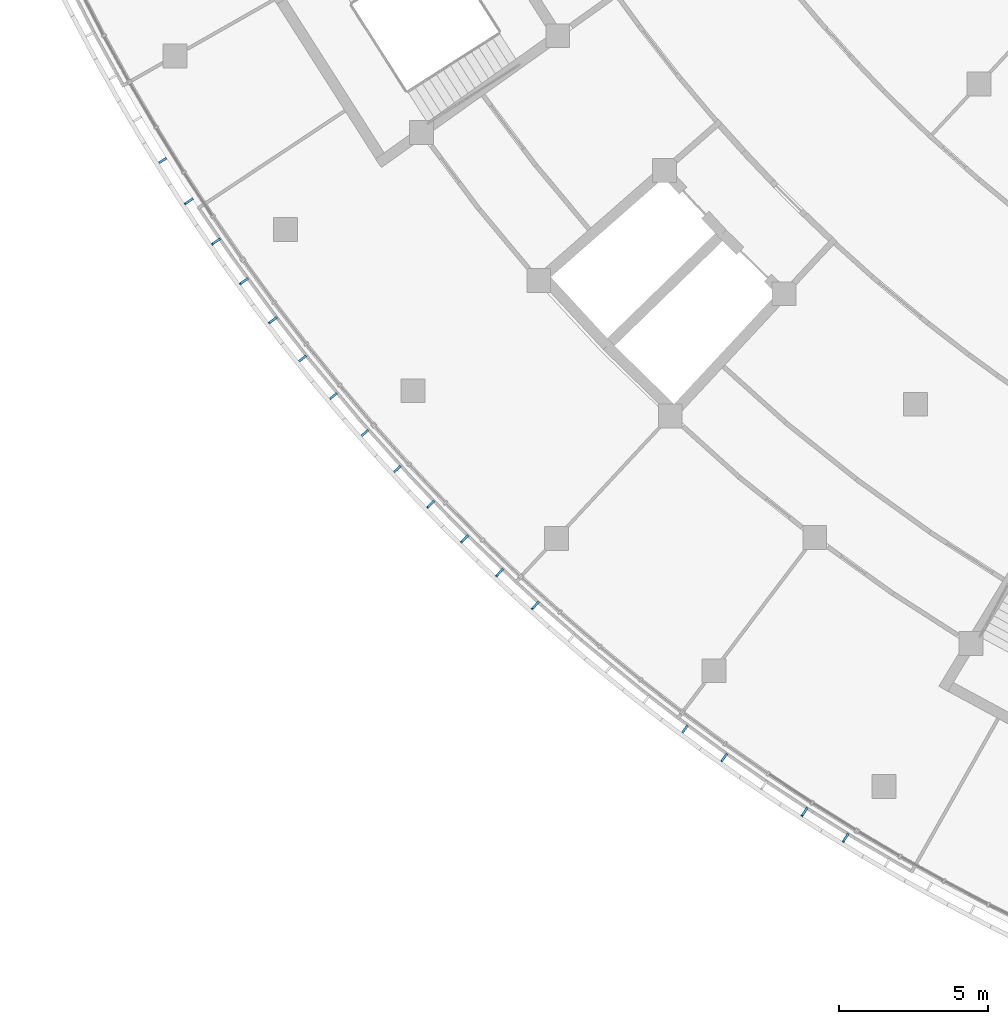
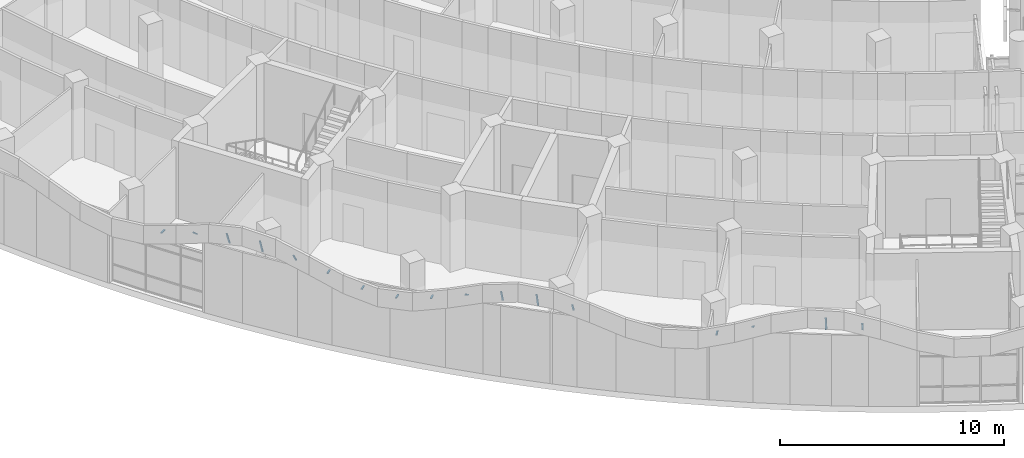
# One storey, part 81 of 109: 17 discrete accessories.
"""IFC4 building model written with IfcOpenShell, lengths in metres."""

from ifc_helpers import new_model, si_unit, direction, frame, origin, origin_2d, place, context, subcontext, project, spatial, rectangle, extrude, material, material_profile, profile_set, type_object, element, save


model = new_model("IFC4")

# Units and contexts
model_context = context("Model", 3, precision=1e-05, world=origin(), true_north=direction((0.0, 1.0)))
body_context = subcontext(model_context, "Body", "Model", "MODEL_VIEW")
ifc_project = project(units=[si_unit("LENGTHUNIT", "METRE"), si_unit("AREAUNIT", "SQUARE_METRE"), si_unit("VOLUMEUNIT", "CUBIC_METRE"), si_unit("PLANEANGLEUNIT", "RADIAN"), si_unit("MASSUNIT", "GRAM", prefix="KILO")], contexts=[model_context])

# Site, building, storey
site_placement = place(None, origin())
site = spatial("IfcSite", under=ifc_project, at=site_placement, CompositionType="ELEMENT")
building_placement = place(site_placement, origin())
building = spatial("IfcBuilding", under=site, at=building_placement, Name="Bougainvillea Quay General Hospital", CompositionType="ELEMENT")
storey_placement = place(building_placement, frame((0.0, 0.0, 12.60009765625)))
storey = spatial("IfcBuildingStorey", under=building, at=storey_placement, Name="L02", CompositionType="ELEMENT", Elevation=12.60009765625)

# Discrete accessories
ifc_material = material(Name="Stainless steel bracket, grade 316", Category="steel")
ifc_material_profile = material_profile(ifc_material, rectangle(XDim=0.080078125, YDim=0.050048828125, at=origin_2d()))
ifc_profile_set = profile_set([ifc_material_profile], Name="Stainless steel bracket, grade 316")
discrete_accessory_type = type_object("IfcDiscreteAccessoryType", Name="Stainless steel stand-off bracket 80x50", PredefinedType="BRACKET", material=ifc_profile_set)
discrete_accessory_1_placement = place(storey_placement, frame((49.80810546875, 88.960205078125, 3.836669921875), z_axis=(-0.84808974146, -0.529852611987, 0.0), x_axis=(0.529852611987, -0.84808974146, 0.0)))
element("IfcDiscreteAccessory", 1, at=discrete_accessory_1_placement, inside=storey, type_object=discrete_accessory_type, Name="Fascia bracket a01 11", PredefinedType="BRACKET", context=body_context, shape_type="SweptSolid", body=[
    extrude(rectangle(XDim=0.080078125, YDim=0.050048828125, at=origin_2d()), origin(), (0.0, 0.0, 1.0), 0.300048828125),
])
discrete_accessory_2_placement = place(storey_placement, frame((50.682861328125, 87.593017578125, 4.139892578125), z_axis=(-0.638840972313, -0.419258827009, 0.645061429687), x_axis=(0.548674222806, -0.836036241576, 0.0)))
element("IfcDiscreteAccessory", 2, at=discrete_accessory_2_placement, inside=storey, type_object=discrete_accessory_type, Name="Fascia bracket a01 12", PredefinedType="BRACKET", context=body_context, shape_type="SweptSolid", body=[
    extrude(rectangle(XDim=0.080078125, YDim=0.050048828125, at=origin_2d()), origin(), (0.0, 0.0, 1.0), 0.392578125),
])
discrete_accessory_3_placement = place(storey_placement, frame((51.589111328125, 86.24658203125, 4.139892578125), z_axis=(-0.324510616205, -0.224043926915, 0.918965276157), x_axis=(0.568151345887, -0.822924084085, 0.0)))
element("IfcDiscreteAccessory", 3, at=discrete_accessory_3_placement, inside=storey, type_object=discrete_accessory_type, Name="Fascia bracket a01 13", PredefinedType="BRACKET", context=body_context, shape_type="SweptSolid", body=[
    extrude(rectangle(XDim=0.080078125, YDim=0.050048828125, at=origin_2d()), origin(), (0.0, 0.0, 1.0), 0.760498046875),
])
discrete_accessory_4_placement = place(storey_placement, frame((52.5263671875, 84.921630859375, 4.139892578125), z_axis=(-0.291286057087, -0.211365360017, 0.932993632096), x_axis=(0.587300760558, -0.80936877667, 0.0)))
element("IfcDiscreteAccessory", 4, at=discrete_accessory_4_placement, inside=storey, type_object=discrete_accessory_type, Name="Fascia bracket a01 14", PredefinedType="BRACKET", context=body_context, shape_type="SweptSolid", body=[
    extrude(rectangle(XDim=0.080078125, YDim=0.050048828125, at=origin_2d()), origin(), (0.0, 0.0, 1.0), 0.833984375),
])
discrete_accessory_5_placement = place(storey_placement, frame((53.494140625, 83.61865234375, 4.139892578125), z_axis=(-0.444683474845, -0.338286815219, 0.829348321183), x_axis=(0.605454603706, -0.795879841968, 0.0)))
element("IfcDiscreteAccessory", 5, at=discrete_accessory_5_placement, inside=storey, type_object=discrete_accessory_type, Name="Fascia bracket a01 15", PredefinedType="BRACKET", context=body_context, shape_type="SweptSolid", body=[
    extrude(rectangle(XDim=0.080078125, YDim=0.050048828125, at=origin_2d()), origin(), (0.0, 0.0, 1.0), 0.536865234375),
])
for number, where, z_axis, x_axis, name in (
    (6, (54.49169921875, 82.33837890625, 4.031494140625), (-0.781265636341, -0.624198690701, 0.0), (0.624198690701, -0.781265636341, 0.0), "Fascia bracket a01 16"),
    (7, (55.518798828125, 81.08154296875, 3.574462890625), (-0.767353478711, -0.641224327915, 0.0), (0.641224327915, -0.767353478711, 0.0), "Fascia bracket a01 17"),
    (8, (56.57470703125, 79.84912109375, 3.47607421875), (-0.751971412186, -0.659195718475, 0.0), (0.659195718475, -0.751971412186, 0.0), "Fascia bracket a01 18"),
    (9, (57.658935546875, 78.641357421875, 3.79296875), (-0.736174154042, -0.676792150457, 0.0), (0.676792150457, -0.736174154042, 0.0), "Fascia bracket a01 19"),
):
    element("IfcDiscreteAccessory", number, at=place(storey_placement, frame(where, z_axis=z_axis, x_axis=x_axis)), inside=storey, type_object=discrete_accessory_type, Name=name, PredefinedType="BRACKET", context=body_context, shape_type="SweptSolid", body=[
        extrude(rectangle(XDim=0.080078125, YDim=0.050048828125, at=origin_2d()), origin(), (0.0, 0.0, 1.0), 0.300048828125),
    ])
discrete_accessory_6_placement = place(storey_placement, frame((58.770751953125, 77.458984375, 4.139892578125), z_axis=(-0.596258039635, -0.574024689005, 0.561223668945), x_axis=(0.693547822267, -0.720410590031, 0.0)))
element("IfcDiscreteAccessory", 10, at=discrete_accessory_6_placement, inside=storey, type_object=discrete_accessory_type, Name="Fascia bracket a01 20", PredefinedType="BRACKET", context=body_context, shape_type="SweptSolid", body=[
    extrude(rectangle(XDim=0.080078125, YDim=0.050048828125, at=origin_2d()), origin(), (0.0, 0.0, 1.0), 0.3623046875),
])
discrete_accessory_7_placement = place(storey_placement, frame((59.90966796875, 76.302734375, 4.139892578125), z_axis=(-0.287200978153, -0.289525147918, 0.91306669355), x_axis=(0.709950611822, -0.704251467002, 0.0)))
element("IfcDiscreteAccessory", 11, at=discrete_accessory_7_placement, inside=storey, type_object=discrete_accessory_type, Name="Fascia bracket a01 21", PredefinedType="BRACKET", context=body_context, shape_type="SweptSolid", body=[
    extrude(rectangle(XDim=0.080078125, YDim=0.050048828125, at=origin_2d()), origin(), (0.0, 0.0, 1.0), 0.7353515625),
])
discrete_accessory_8_placement = place(storey_placement, frame((61.0751953125, 75.17333984375, 4.139892578125), z_axis=(-0.244177955678, -0.258064853631, 0.934761818477), x_axis=(0.726380511313, -0.687292770794, 0.0)))
element("IfcDiscreteAccessory", 12, at=discrete_accessory_8_placement, inside=storey, type_object=discrete_accessory_type, Name="Fascia bracket a01 22", PredefinedType="BRACKET", context=body_context, shape_type="SweptSolid", body=[
    extrude(rectangle(XDim=0.080078125, YDim=0.050048828125, at=origin_2d()), origin(), (0.0, 0.0, 1.0), 0.84375),
])
discrete_accessory_9_placement = place(storey_placement, frame((62.2666015625, 74.0712890625, 4.139892578125), z_axis=(-0.351140299335, -0.388640719653, 0.8518561388), x_axis=(0.74199819525, -0.670401878164, 0.0)))
element("IfcDiscreteAccessory", 13, at=discrete_accessory_9_placement, inside=storey, type_object=discrete_accessory_type, Name="Fascia bracket a01 23", PredefinedType="BRACKET", context=body_context, shape_type="SweptSolid", body=[
    extrude(rectangle(XDim=0.080078125, YDim=0.050048828125, at=origin_2d()), origin(), (0.0, 0.0, 1.0), 0.572998046875),
])
discrete_accessory_10_placement = place(storey_placement, frame((67.278076171875, 69.947509765625, 3.751220703125), z_axis=(-0.598957825591, -0.80078057117, 0.0), x_axis=(0.80078057117, -0.598957825591, 0.0)))
element("IfcDiscreteAccessory", 14, at=discrete_accessory_10_placement, inside=storey, type_object=discrete_accessory_type, Name="Fascia bracket a01 27", PredefinedType="BRACKET", context=body_context, shape_type="SweptSolid", body=[
    extrude(rectangle(XDim=0.080078125, YDim=0.050048828125, at=origin_2d()), origin(), (0.0, 0.0, 1.0), 0.300048828125),
])
discrete_accessory_11_placement = place(storey_placement, frame((68.5888671875, 68.990478515625, 4.139892578125), z_axis=(-0.516959106533, -0.725772883085, 0.453879944866), x_axis=(0.814502463305, -0.58016009624, 0.0)))
element("IfcDiscreteAccessory", 15, at=discrete_accessory_11_placement, inside=storey, type_object=discrete_accessory_type, Name="Fascia bracket a01 28", PredefinedType="BRACKET", context=body_context, shape_type="SweptSolid", body=[
    extrude(rectangle(XDim=0.080078125, YDim=0.050048828125, at=origin_2d()), origin(), (0.0, 0.0, 1.0), 0.336669921875),
])
discrete_accessory_12_placement = place(storey_placement, frame((71.275390625, 67.169189453125, 4.139892578125), z_axis=(-0.190831853737, -0.296435044978, 0.935793496295), x_axis=(0.840834497113, -0.54129229485, 0.0)))
element("IfcDiscreteAccessory", 16, at=discrete_accessory_12_placement, inside=storey, type_object=discrete_accessory_type, Name="Fascia bracket a01 30", PredefinedType="BRACKET", context=body_context, shape_type="SweptSolid", body=[
    extrude(rectangle(XDim=0.080078125, YDim=0.050048828125, at=origin_2d()), origin(), (0.0, 0.0, 1.0), 0.850830078125),
])
discrete_accessory_13_placement = place(storey_placement, frame((72.649658203125, 66.3056640625, 4.139892578125), z_axis=(-0.257416412666, -0.420861779211, 0.869834555125), x_axis=(0.853080554624, -0.521779232361, 0.0)))
element("IfcDiscreteAccessory", 17, at=discrete_accessory_13_placement, inside=storey, type_object=discrete_accessory_type, Name="Fascia bracket a01 31", PredefinedType="BRACKET", context=body_context, shape_type="SweptSolid", body=[
    extrude(rectangle(XDim=0.080078125, YDim=0.050048828125, at=origin_2d()), origin(), (0.0, 0.0, 1.0), 0.60791015625),
])

save(model, "model.ifc")
